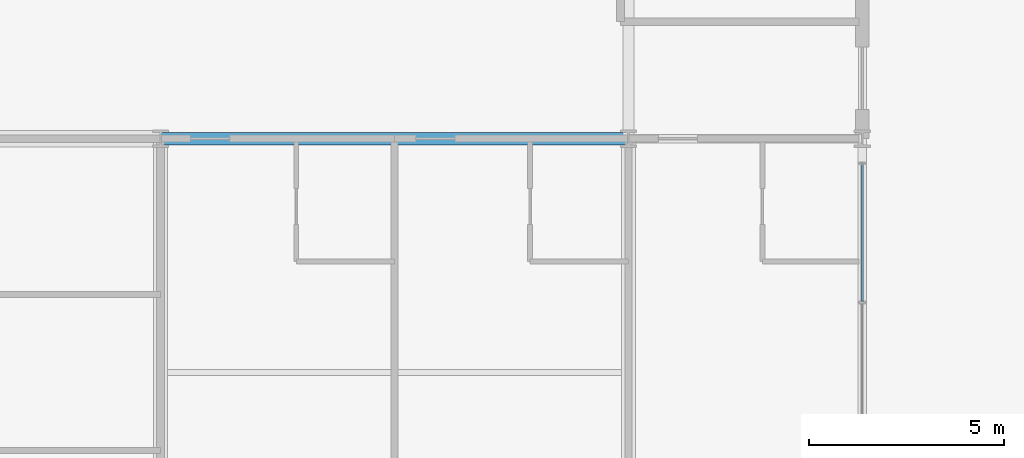
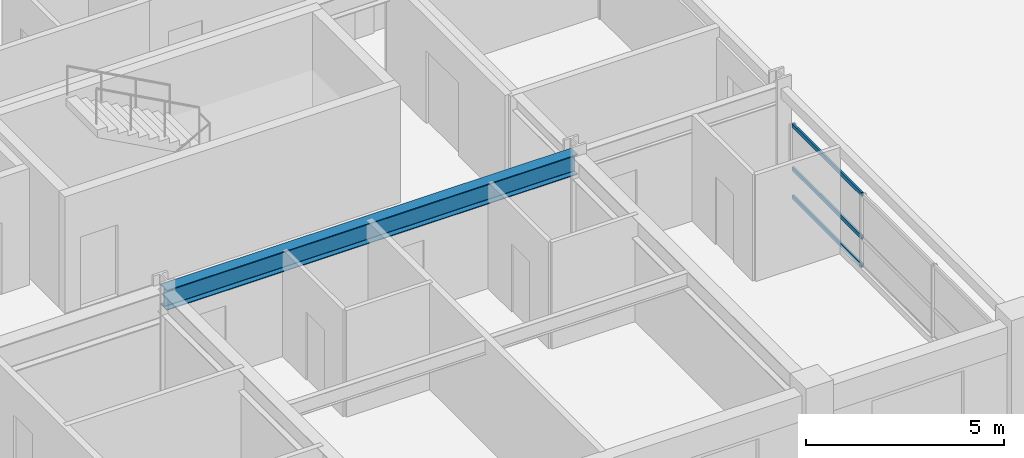
# One storey, part 11 of 27: 3 members, 1 beam, 1 element without a shape of its own.
"""IFC4 building model written with IfcOpenShell, lengths in metres."""

from ifc_helpers import new_model, si_unit, direction, frame, origin, origin_2d, place, context, subcontext, project, spatial, hollow_rectangle, i_section, extrude, material, material_profile, profile_set, type_object, element, aggregate, save


model = new_model("IFC4")

# Units and contexts
model_context = context("Model", 3, precision=1e-05, world=origin(), true_north=direction((0.0, 1.0)))
body_context = subcontext(model_context, "Body", "Model", "MODEL_VIEW")
ifc_project = project(units=[si_unit("LENGTHUNIT", "METRE"), si_unit("AREAUNIT", "SQUARE_METRE"), si_unit("VOLUMEUNIT", "CUBIC_METRE"), si_unit("PLANEANGLEUNIT", "RADIAN"), si_unit("MASSUNIT", "GRAM", prefix="KILO")], contexts=[model_context])

# Site, building, storey
site_placement = place(None, origin())
site = spatial("IfcSite", under=ifc_project, at=site_placement, CompositionType="ELEMENT")
building_placement = place(site_placement, origin())
building = spatial("IfcBuilding", under=site, at=building_placement, Name="Kaldorvane Square Convention Centre", CompositionType="ELEMENT")
storey_placement = place(building_placement, frame((0.0, 0.0, 38.399993896484375)))
storey = spatial("IfcBuildingStorey", under=building, at=storey_placement, Name="L08", CompositionType="ELEMENT", Elevation=38.399993896484375)

# Beam
ifc_material_1 = material(Name="Steel ASTM A992 Gr. 50", Category="steel")
ifc_material_profile_1 = material_profile(ifc_material_1, i_section(OverallWidth=0.326507568359375, OverallDepth=0.621795654296875, WebThickness=0.0153961181640625, FlangeThickness=0.0243988037109375, FilletRadius=0.0126953125, at=origin_2d()), Name="W24X131")
ifc_profile_set_1 = profile_set([ifc_material_profile_1], Name="Steel ASTM A992 Gr. 50")
beam_type = type_object("IfcBeamType", Name="BM-GR-W24X131", PredefinedType="BEAM", material=ifc_profile_set_1)
beam_placement = place(storey_placement, frame((66.0, 96.0, 2.9751129150390625), z_axis=(1.0, 0.0, 0.0), x_axis=(0.0, 1.0, 0.0)))
element("IfcBeam", 1, at=beam_placement, inside=storey, type_object=beam_type, Name="Primary Girder (L08)", PredefinedType="BEAM", context=body_context, shape_type="SweptSolid", body=[
    extrude(i_section(OverallWidth=0.326507568359375, OverallDepth=0.621795654296875, WebThickness=0.0153961181640625, FlangeThickness=0.0243988037109375, FilletRadius=0.0126953125, at=origin_2d()), origin(), (0.0, 0.0, 1.0), 12.0),
])

# Curtain wall, members
ifc_material_2 = material(Name="Anodized Aluminum and Low-E Insulated Glazing", Category="aluminium")
curtain_wall_type = type_object("IfcCurtainWallType", Name="CW-UNI-HTL-A", PredefinedType="USERDEFINED", material=ifc_material_2)
curtain_wall_placement = place(storey_placement, origin())
curtain_wall = element("IfcCurtainWall", 2, at=curtain_wall_placement, inside=storey, type_object=curtain_wall_type, Name="Curtain Wall CW-10 (L08)", ObjectType="UNITISED GLAZING", PredefinedType="USERDEFINED")
ifc_material_profile_2 = material_profile(ifc_material_2, hollow_rectangle(XDim=0.05499267578125, YDim=0.1199951171875, WallThickness=0.0030059814453125, at=origin_2d()), Name="CWT-120X55")
ifc_profile_set_2 = profile_set([ifc_material_profile_2], Name="Anodized Aluminum and Low-E Insulated Glazing")
member_type = type_object("IfcMemberType", Name="CW-TRN-120", PredefinedType="USERDEFINED", material=ifc_profile_set_2)
member_1_placement = place(storey_placement, frame((84.0, 91.83000183105469, 0.1775054931640625), z_axis=(0.0, 1.0, 0.0), x_axis=(-1.0, 0.0, 0.0)))
member_1 = element("IfcMember", 3, at=member_1_placement, type_object=member_type, Name="CW-10 transom 3.1", ObjectType="TRANSOM", PredefinedType="USERDEFINED", context=body_context, shape_type="SweptSolid", body=[
    extrude(hollow_rectangle(XDim=0.05499267578125, YDim=0.1199951171875, WallThickness=0.0030059814453125, at=origin_2d()), origin(), (0.0, 0.0, 1.0), 3.5099945068359375),
])
member_2_placement = place(storey_placement, frame((84.0, 91.83000183105469, 1.0500030517578125), z_axis=(0.0, 1.0, 0.0), x_axis=(-1.0, 0.0, 0.0)))
member_2 = element("IfcMember", 4, at=member_2_placement, type_object=member_type, Name="CW-10 transom 3.2", ObjectType="TRANSOM", PredefinedType="USERDEFINED", context=body_context, shape_type="SweptSolid", body=[
    extrude(hollow_rectangle(XDim=0.05499267578125, YDim=0.1199951171875, WallThickness=0.0030059814453125, at=origin_2d()), origin(), (0.0, 0.0, 1.0), 3.5099945068359375),
])
member_3_placement = place(storey_placement, frame((84.0, 91.83000183105469, 2.38250732421875), z_axis=(0.0, 1.0, 0.0), x_axis=(-1.0, 0.0, 0.0)))
member_3 = element("IfcMember", 5, at=member_3_placement, type_object=member_type, Name="CW-10 transom 3.3", ObjectType="TRANSOM", PredefinedType="USERDEFINED", context=body_context, shape_type="SweptSolid", body=[
    extrude(hollow_rectangle(XDim=0.05499267578125, YDim=0.1199951171875, WallThickness=0.0030059814453125, at=origin_2d()), origin(), (0.0, 0.0, 1.0), 3.5099945068359375),
])
aggregate(curtain_wall, [member_1, member_2, member_3])

save(model, "model.ifc")
